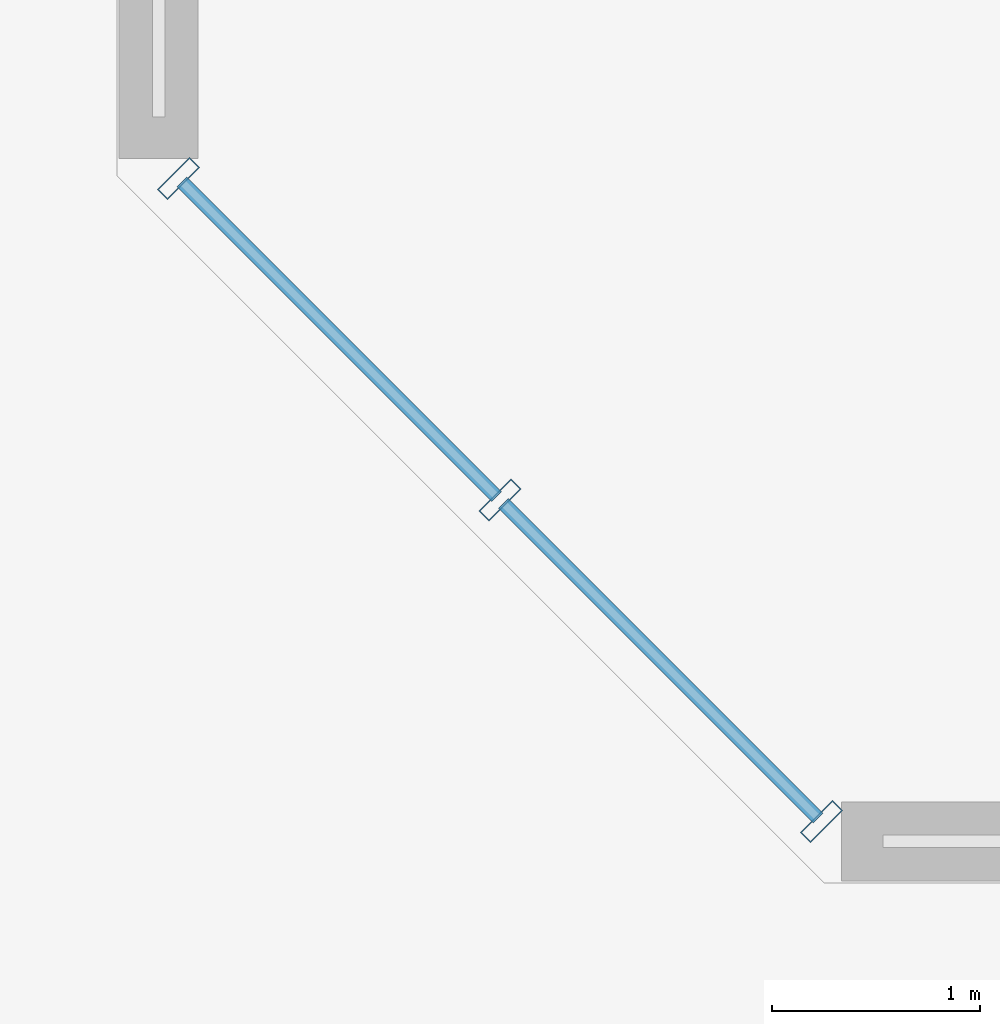
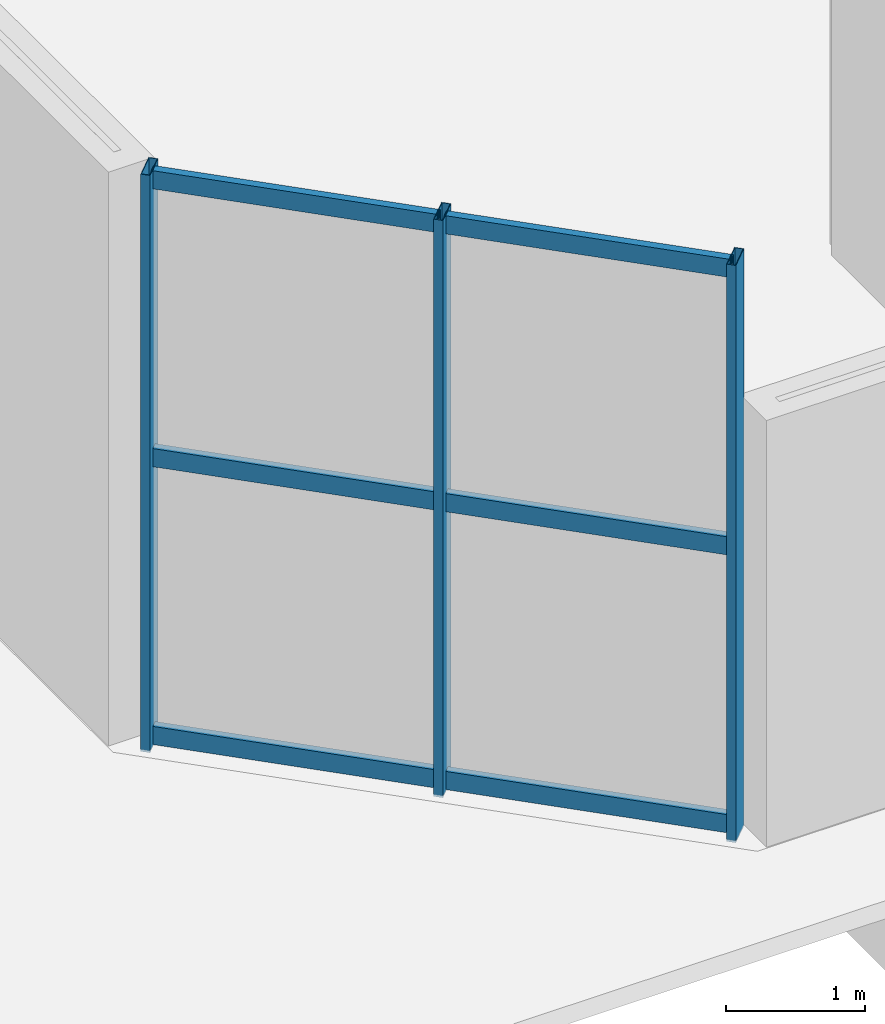
# One storey, part 2 of 22: 9 members, 1 element without a shape of its own.
"""IFC4 building model written with IfcOpenShell, lengths in metres."""

from ifc_helpers import new_model, si_unit, direction, frame, origin, origin_2d, place, context, subcontext, project, spatial, hollow_rectangle, extrude, source, transform, mapped, material, material_profile, profile_set, type_object, element, aggregate, save


model = new_model("IFC4")

# Units and contexts
model_context = context("Model", 3, precision=1e-05, world=origin(), true_north=direction((0.0, 1.0)))
body_context = subcontext(model_context, "Body", "Model", "MODEL_VIEW")
ifc_project = project(units=[si_unit("LENGTHUNIT", "METRE"), si_unit("AREAUNIT", "SQUARE_METRE"), si_unit("VOLUMEUNIT", "CUBIC_METRE"), si_unit("PLANEANGLEUNIT", "RADIAN"), si_unit("MASSUNIT", "GRAM", prefix="KILO")], contexts=[model_context])

# Site, building, storey
site_placement = place(None, origin())
site = spatial("IfcSite", under=ifc_project, at=site_placement, CompositionType="ELEMENT")
building_placement = place(site_placement, origin())
building = spatial("IfcBuilding", under=site, at=building_placement, Name="Tlacorven Tower", CompositionType="ELEMENT")
storey_placement = place(building_placement, origin())
storey = spatial("IfcBuildingStorey", under=building, at=storey_placement, Name="L00", CompositionType="ELEMENT", Elevation=0.0)

# Curtain wall, members
ifc_material_1 = material(Name="Dark solar low-E double glazing in aluminium frame", Category="aluminium")
curtain_wall_type = type_object("IfcCurtainWallType", Name="CW-STN-CONCOURSE", PredefinedType="USERDEFINED", material=ifc_material_1)
curtain_wall_placement = place(storey_placement, origin())
curtain_wall = element("IfcCurtainWall", 1, at=curtain_wall_placement, inside=storey, type_object=curtain_wall_type, Name="L00 Podium Chamfer Curtain Wall 1", ObjectType="UNITISED CURTAIN WALL", PredefinedType="USERDEFINED")
ifc_material_2 = material(Name="Aluminium 6063-T6 anodised", Category="aluminium")
ifc_material_profile_1 = material_profile(ifc_material_2, hollow_rectangle(XDim=0.070068359375, YDim=0.219970703125, WallThickness=0.0048828125, at=origin_2d()), Name="ALU MULLION 70X220")
ifc_profile_set_1 = profile_set([ifc_material_profile_1], Name="Aluminium 6063-T6 anodised")
member_type_1 = type_object("IfcMemberType", Name="CWM-01", PredefinedType="MULLION", material=ifc_profile_set_1)
shared_shape_1 = source(origin(), body_context, "Body", "SweptSolid", [
    extrude(hollow_rectangle(XDim=0.070068359375, YDim=0.219970703125, WallThickness=0.0048828125, at=origin_2d()), origin(), (0.0, 0.0, 1.0), 5.080078125),
])
member_1_placement = place(storey_placement, frame((4.787353515625, 1.695556640625, -0.02001953125), z_axis=(0.0, 0.0, 1.0), x_axis=(-0.707106781187, 0.707106781187, 0.0)))
member_1 = element("IfcMember", 2, at=member_1_placement, type_object=member_type_1, Name="CW-L00-001 Mullion 1", PredefinedType="MULLION", context=body_context, shape_type="MappedRepresentation", body=[
    mapped(shared_shape_1, transform((0.0, 0.0, 0.0), scale=1.0)),
])
member_2_placement = place(storey_placement, frame((3.241455078125, 3.241455078125, -0.02001953125), z_axis=(0.0, 0.0, 1.0), x_axis=(-0.707106781187, 0.707106781187, 0.0)))
member_2 = element("IfcMember", 3, at=member_2_placement, type_object=member_type_1, Name="CW-L00-001 Mullion 2", PredefinedType="MULLION", context=body_context, shape_type="MappedRepresentation", body=[
    mapped(shared_shape_1, transform((0.0, 0.0, 0.0), scale=1.0)),
])
member_3_placement = place(storey_placement, frame((1.695556640625, 4.787353515625, -0.02001953125), z_axis=(0.0, 0.0, 1.0), x_axis=(-0.707106781187, 0.707106781187, 0.0)))
member_3 = element("IfcMember", 4, at=member_3_placement, type_object=member_type_1, Name="CW-L00-001 Mullion 3", PredefinedType="MULLION", context=body_context, shape_type="MappedRepresentation", body=[
    mapped(shared_shape_1, transform((0.0, 0.0, 0.0), scale=1.0)),
])
ifc_material_profile_2 = material_profile(ifc_material_2, hollow_rectangle(XDim=0.06494140625, YDim=0.159912109375, WallThickness=0.00390625, at=origin_2d()), Name="ALU TRANSOM 65X160")
ifc_profile_set_2 = profile_set([ifc_material_profile_2], Name="Aluminium 6063-T6 anodised")
member_type_2 = type_object("IfcMemberType", Name="CWT-01", PredefinedType="USERDEFINED", material=ifc_profile_set_2)
shared_shape_2 = source(origin(), body_context, "Body", "SweptSolid", [
    extrude(hollow_rectangle(XDim=0.06494140625, YDim=0.159912109375, WallThickness=0.00390625, at=origin_2d()), origin(), (0.0, 0.0, 1.0), 2.140380859375),
])
member_4_placement = place(storey_placement, frame((4.771240234375, 1.711669921875, 0.080078125), z_axis=(-0.707163808226, 0.707049749547, 0.0), x_axis=(-0.707049749547, -0.707163808226, 0.0)))
member_4 = element("IfcMember", 5, at=member_4_placement, type_object=member_type_2, Name="CW-L00-001 Transom 1", ObjectType="TRANSOM", PredefinedType="USERDEFINED", context=body_context, shape_type="MappedRepresentation", body=[
    mapped(shared_shape_2, transform((0.0, 0.0, 0.0), scale=1.0)),
])
member_5_placement = place(storey_placement, frame((4.771240234375, 1.711669921875, 2.52490234375), z_axis=(-0.707163808226, 0.707049749547, 0.0), x_axis=(-0.707049749547, -0.707163808226, 0.0)))
member_5 = element("IfcMember", 6, at=member_5_placement, type_object=member_type_2, Name="CW-L00-001 Transom 2", ObjectType="TRANSOM", PredefinedType="USERDEFINED", context=body_context, shape_type="MappedRepresentation", body=[
    mapped(shared_shape_2, transform((0.0, 0.0, 0.0), scale=1.0)),
])
member_6_placement = place(storey_placement, frame((4.771240234375, 1.711669921875, 4.969970703125), z_axis=(-0.707163808226, 0.707049749547, 0.0), x_axis=(-0.707049749547, -0.707163808226, 0.0)))
member_6 = element("IfcMember", 7, at=member_6_placement, type_object=member_type_2, Name="CW-L00-001 Transom 3", ObjectType="TRANSOM", PredefinedType="USERDEFINED", context=body_context, shape_type="MappedRepresentation", body=[
    mapped(shared_shape_2, transform((0.0, 0.0, 0.0), scale=1.0)),
])
member_7_placement = place(storey_placement, frame((3.22509765625, 3.257568359375, 0.080078125), z_axis=(-0.707049749547, 0.707163808226, 0.0), x_axis=(-0.707163808226, -0.707049749547, 0.0)))
member_7 = element("IfcMember", 8, at=member_7_placement, type_object=member_type_2, Name="CW-L00-001 Transom 4", ObjectType="TRANSOM", PredefinedType="USERDEFINED", context=body_context, shape_type="MappedRepresentation", body=[
    mapped(shared_shape_2, transform((0.0, 0.0, 0.0), scale=1.0)),
])
member_8_placement = place(storey_placement, frame((3.22509765625, 3.257568359375, 2.52490234375), z_axis=(-0.707049749547, 0.707163808226, 0.0), x_axis=(-0.707163808226, -0.707049749547, 0.0)))
member_8 = element("IfcMember", 9, at=member_8_placement, type_object=member_type_2, Name="CW-L00-001 Transom 5", ObjectType="TRANSOM", PredefinedType="USERDEFINED", context=body_context, shape_type="MappedRepresentation", body=[
    mapped(shared_shape_2, transform((0.0, 0.0, 0.0), scale=1.0)),
])
member_9_placement = place(storey_placement, frame((3.22509765625, 3.257568359375, 4.969970703125), z_axis=(-0.707049749547, 0.707163808226, 0.0), x_axis=(-0.707163808226, -0.707049749547, 0.0)))
member_9 = element("IfcMember", 10, at=member_9_placement, type_object=member_type_2, Name="CW-L00-001 Transom 6", ObjectType="TRANSOM", PredefinedType="USERDEFINED", context=body_context, shape_type="MappedRepresentation", body=[
    mapped(shared_shape_2, transform((0.0, 0.0, 0.0), scale=1.0)),
])
aggregate(curtain_wall, [member_1, member_2, member_3, member_4, member_5, member_6, member_7, member_8, member_9])

save(model, "model.ifc")
